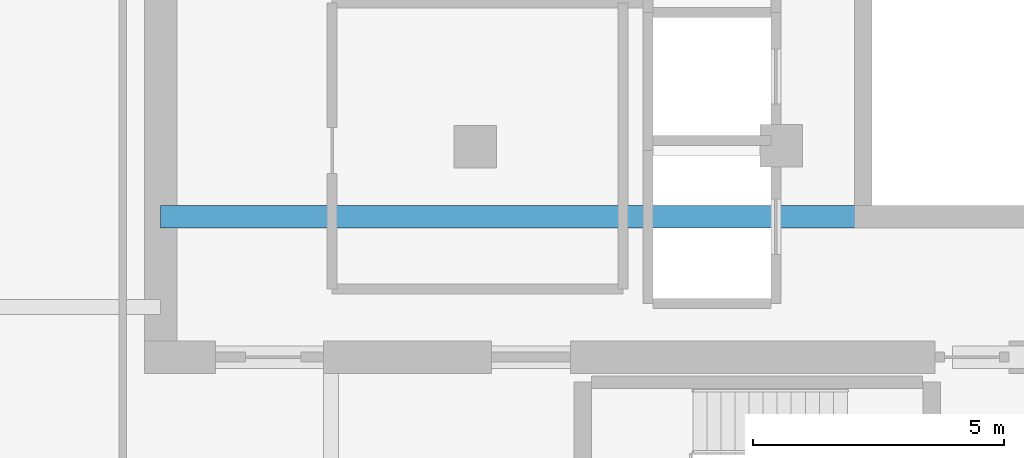
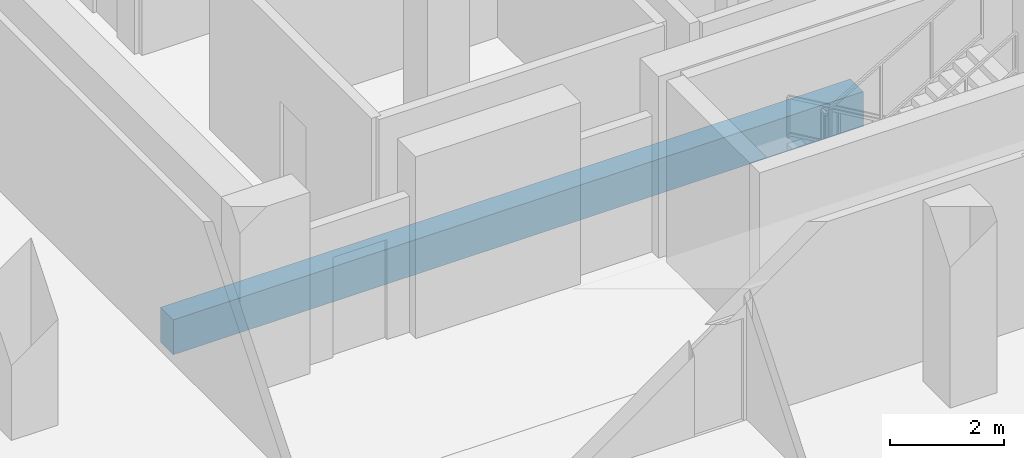
# One storey, part 7 of 27: 1 beam.
"""IFC4 building model written with IfcOpenShell, lengths in metres."""

from ifc_helpers import new_model, si_unit, direction, frame, origin, origin_2d, place, context, subcontext, project, spatial, rectangle, extrude, material, material_profile, profile_set, type_object, element, save


model = new_model("IFC4")

# Units and contexts
model_context = context("Model", 3, precision=1e-05, world=origin(), true_north=direction((0.0, 1.0)))
body_context = subcontext(model_context, "Body", "Model", "MODEL_VIEW")
ifc_project = project(units=[si_unit("LENGTHUNIT", "METRE"), si_unit("AREAUNIT", "SQUARE_METRE"), si_unit("VOLUMEUNIT", "CUBIC_METRE"), si_unit("PLANEANGLEUNIT", "RADIAN"), si_unit("MASSUNIT", "GRAM", prefix="KILO")], contexts=[model_context])

# Site, building, storey
site_placement = place(None, origin())
site = spatial("IfcSite", under=ifc_project, at=site_placement, CompositionType="ELEMENT")
building_placement = place(site_placement, origin())
building = spatial("IfcBuilding", under=site, at=building_placement, Name="Khorvyn Point Tower", CompositionType="ELEMENT")
storey_placement = place(building_placement, frame((0.0, 0.0, 246.89990234375)))
storey = spatial("IfcBuildingStorey", under=building, at=storey_placement, Name="L60", CompositionType="ELEMENT", Elevation=246.89990234375)

# Beam
ifc_material = material(Name="Concrete C40/50", Category="concrete")
ifc_material_profile = material_profile(ifc_material, rectangle(XDim=0.449951171875, YDim=0.75, at=origin_2d()))
ifc_profile_set = profile_set([ifc_material_profile], Name="Concrete C40/50 RC450x750")
beam_type = type_object("IfcBeamType", Name="Concrete C40/50 Beam RC450x750", PredefinedType="BEAM", material=ifc_profile_set)
beam_placement = place(storey_placement, frame((-10.800048828125, -5.60009765625, -0.594970703125), z_axis=(1.0, 0.0, 0.0), x_axis=(0.0, 1.0, 0.0)))
element("IfcBeam", 1, at=beam_placement, inside=storey, type_object=beam_type, Name="L60 Core Internal Tie Girder S", PredefinedType="BEAM", context=body_context, shape_type="SweptSolid", body=[
    extrude(rectangle(XDim=0.449951171875, YDim=0.75, at=origin_2d()), origin(), (0.0, 0.0, 1.0), 14.02001953125),
])

save(model, "model.ifc")
